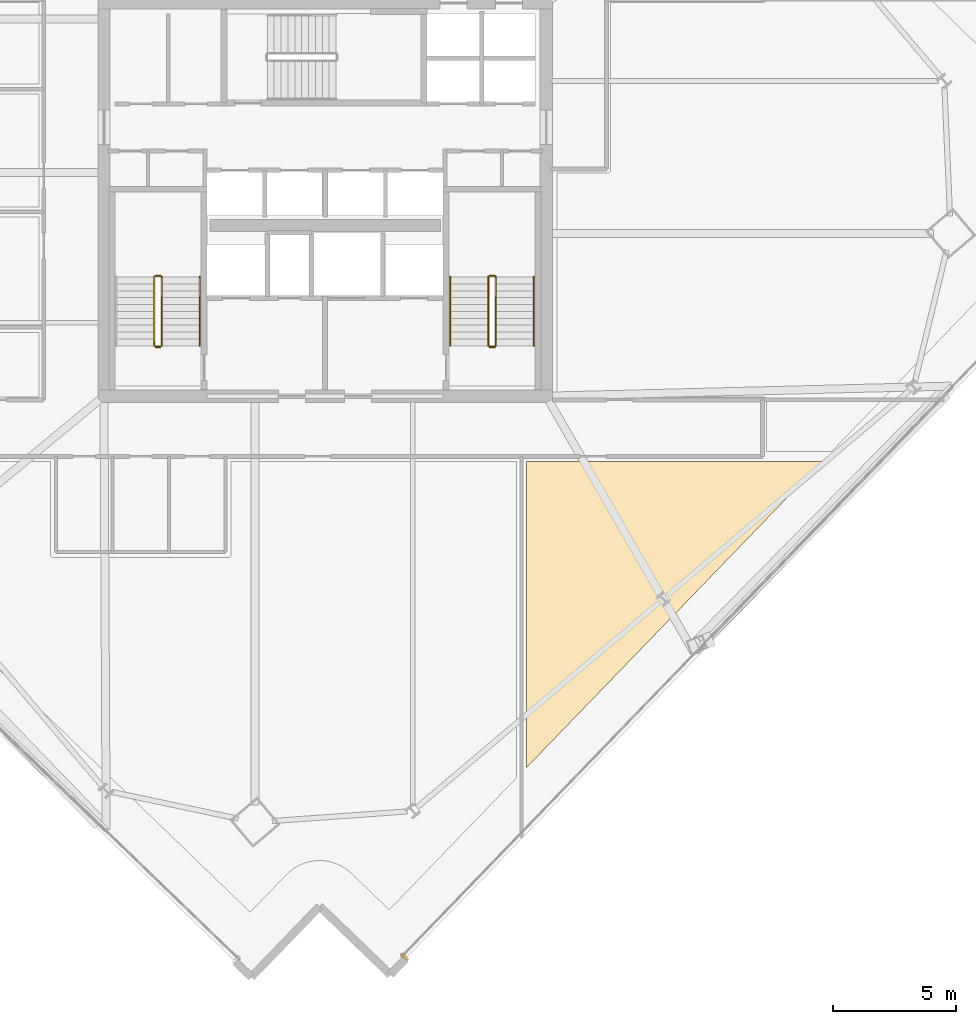
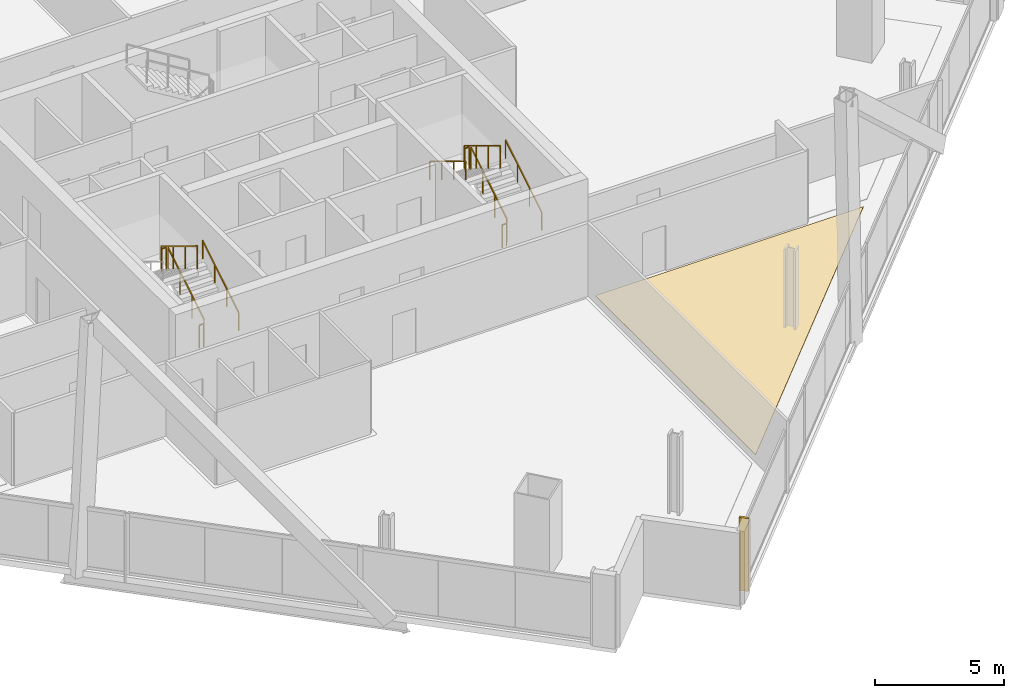
# One storey, part 30 of 33: 11 railings, 2 coverings.
"""IFC4 building model written with IfcOpenShell, lengths in metres."""

from ifc_helpers import new_model, si_unit, direction, frame, origin, origin_2d, place, context, subcontext, project, spatial, polyline, rectangle, outline, extrude, source, transform, mapped, material, layer, layer_set, type_object, element, save


model = new_model("IFC4")

# Units and contexts
model_context = context("Model", 3, precision=1e-05, world=origin(), true_north=direction((0.0, 1.0)))
body_context = subcontext(model_context, "Body", "Model", "MODEL_VIEW")
ifc_project = project(units=[si_unit("LENGTHUNIT", "METRE"), si_unit("AREAUNIT", "SQUARE_METRE"), si_unit("VOLUMEUNIT", "CUBIC_METRE"), si_unit("PLANEANGLEUNIT", "RADIAN"), si_unit("MASSUNIT", "GRAM", prefix="KILO")], contexts=[model_context])

# Site, building, storey
site_placement = place(None, origin())
site = spatial("IfcSite", under=ifc_project, at=site_placement, CompositionType="ELEMENT")
building_placement = place(site_placement, origin())
building = spatial("IfcBuilding", under=site, at=building_placement, Name="Haldenkirk Collegiate Tower", CompositionType="ELEMENT")
storey_placement = place(building_placement, frame((0.0, 0.0, 181.949951171875)))
storey = spatial("IfcBuildingStorey", under=building, at=storey_placement, Name="L45", CompositionType="ELEMENT", Elevation=181.949951171875)

# Covering
ifc_material_1 = material(Name="Polished collegiate terrazzo", Category="concrete")
ifc_layer_1 = layer(ifc_material_1, 0.02490234375)
ifc_layer_set_1 = layer_set([ifc_layer_1], Name="Polished collegiate terrazzo")
covering_type_1 = type_object("IfcCoveringType", Name="COV-FLOOR-TERRAZZO", PredefinedType="FLOORING", material=ifc_layer_set_1)
covering_1_placement = place(storey_placement, origin())
element("IfcCovering", 1, at=covering_1_placement, inside=storey, type_object=covering_type_1, Name="L45 academic room finish 02", PredefinedType="FLOORING", context=body_context, shape_type="SweptSolid", body=[
    extrude(outline(polyline([(44.199951171875, 2.885986328125), (44.199951171875, 15.35009765625), (56.236572265625, 15.35009765625), (44.199951171875, 2.885986328125)])), origin(), (0.0, 0.0, 1.0), 0.025146484375),
])

# Railings
ifc_material_2 = material(Name="Painted architectural tubular steel", Category="steel")
railing_type_1 = type_object("IfcRailingType", Name="RLG-STAIR-GUARD-1100", PredefinedType="BALUSTRADE", material=ifc_material_2)
railing_1_placement = place(storey_placement, frame((29.35009765625, 20.050048828125, 0.17041015625)))
element("IfcRailing", 2, at=railing_1_placement, inside=storey, type_object=railing_type_1, Name="L45 ST-1 stair guard 1", PredefinedType="BALUSTRADE", context=body_context, shape_type="SweptSolid", body=[
    extrude(rectangle(XDim=0.048095703125, YDim=0.048095703125, at=origin_2d()), frame((0.0, 0.0, 1.076171875), z_axis=(0.0, 0.854169791009, 0.51999420009), x_axis=(-1.0, 0.0, 0.0)), (0.0, 0.0, 1.0), 3.278076171875),
    extrude(rectangle(XDim=0.0419921875, YDim=0.0419921875, at=origin_2d()), origin(), (0.0, 0.0, 1.0), 1.052001953125),
    extrude(rectangle(XDim=0.0419921875, YDim=0.0419921875, at=origin_2d()), frame((0.0, 0.933349609375, 0.568115234375)), (0.0, 0.0, 1.0), 1.052001953125),
    extrude(rectangle(XDim=0.0419921875, YDim=0.0419921875, at=origin_2d()), frame((0.0, 1.86669921875, 1.136474609375)), (0.0, 0.0, 1.0), 1.052001953125),
    extrude(rectangle(XDim=0.0419921875, YDim=0.0419921875, at=origin_2d()), frame((0.0, 2.800048828125, 1.70458984375)), (0.0, 0.0, 1.0), 1.052001953125),
])
railing_2_placement = place(storey_placement, frame((29.300048828125, 22.89990234375, 1.875)))
element("IfcRailing", 3, at=railing_2_placement, inside=storey, type_object=railing_type_1, Name="L45 ST-1 stair guard 2", PredefinedType="BALUSTRADE", context=body_context, shape_type="SweptSolid", body=[
    extrude(rectangle(XDim=0.048095703125, YDim=0.048095703125, at=origin_2d()), frame((0.0, 0.0, 1.076171875), z_axis=(-1.0, 0.0, 0.0), x_axis=(0.0, -1.0, 0.0)), (0.0, 0.0, 1.0), 0.199951171875),
    extrude(rectangle(XDim=0.0419921875, YDim=0.0419921875, at=origin_2d()), origin(), (0.0, 0.0, 1.0), 1.052001953125),
    extrude(rectangle(XDim=0.0419921875, YDim=0.0419921875, at=origin_2d()), frame((-0.199951171875, 0.0, 0.0)), (0.0, 0.0, 1.0), 1.052001953125),
])
railing_3_placement = place(storey_placement, frame((29.050048828125, 22.85009765625, 2.04541015625)))
element("IfcRailing", 4, at=railing_3_placement, inside=storey, type_object=railing_type_1, Name="L45 ST-1 stair guard 3", PredefinedType="BALUSTRADE", context=body_context, shape_type="SweptSolid", body=[
    extrude(rectangle(XDim=0.048095703125, YDim=0.048095703125, at=origin_2d()), frame((0.0, 0.0, 1.076171875), z_axis=(0.0, -0.854169791009, 0.51999420009), x_axis=(1.0, 0.0, 0.0)), (0.0, 0.0, 1.0), 3.278076171875),
    extrude(rectangle(XDim=0.0419921875, YDim=0.0419921875, at=origin_2d()), origin(), (0.0, 0.0, 1.0), 1.052001953125),
    extrude(rectangle(XDim=0.0419921875, YDim=0.0419921875, at=origin_2d()), frame((0.0, -0.933349609375, 0.568115234375)), (0.0, 0.0, 1.0), 1.052001953125),
    extrude(rectangle(XDim=0.0419921875, YDim=0.0419921875, at=origin_2d()), frame((0.0, -1.86669921875, 1.136474609375)), (0.0, 0.0, 1.0), 1.052001953125),
    extrude(rectangle(XDim=0.0419921875, YDim=0.0419921875, at=origin_2d()), frame((0.0, -2.800048828125, 1.70458984375)), (0.0, 0.0, 1.0), 1.052001953125),
])
railing_4_placement = place(storey_placement, frame((29.300048828125, 20.0, 0.0)))
element("IfcRailing", 5, at=railing_4_placement, inside=storey, type_object=railing_type_1, Name="L45 ST-1 stair guard 4", PredefinedType="BALUSTRADE", context=body_context, shape_type="SweptSolid", body=[
    extrude(rectangle(XDim=0.048095703125, YDim=0.048095703125, at=origin_2d()), frame((0.0, 0.0, 1.076171875), z_axis=(-1.0, 0.0, 0.0), x_axis=(0.0, -1.0, 0.0)), (0.0, 0.0, 1.0), 0.199951171875),
    extrude(rectangle(XDim=0.0419921875, YDim=0.0419921875, at=origin_2d()), origin(), (0.0, 0.0, 1.0), 1.052001953125),
    extrude(rectangle(XDim=0.0419921875, YDim=0.0419921875, at=origin_2d()), frame((-0.199951171875, 0.0, 0.0)), (0.0, 0.0, 1.0), 1.052001953125),
])
railing_5_placement = place(storey_placement, frame((42.949951171875, 20.050048828125, 0.17041015625)))
element("IfcRailing", 6, at=railing_5_placement, inside=storey, type_object=railing_type_1, Name="L45 ST-2 stair guard 1", PredefinedType="BALUSTRADE", context=body_context, shape_type="SweptSolid", body=[
    extrude(rectangle(XDim=0.048095703125, YDim=0.048095703125, at=origin_2d()), frame((0.0, 0.0, 1.076171875), z_axis=(0.0, 0.854169791009, 0.51999420009), x_axis=(-1.0, 0.0, 0.0)), (0.0, 0.0, 1.0), 3.278076171875),
    extrude(rectangle(XDim=0.0419921875, YDim=0.0419921875, at=origin_2d()), origin(), (0.0, 0.0, 1.0), 1.052001953125),
    extrude(rectangle(XDim=0.0419921875, YDim=0.0419921875, at=origin_2d()), frame((0.0, 0.933349609375, 0.568115234375)), (0.0, 0.0, 1.0), 1.052001953125),
    extrude(rectangle(XDim=0.0419921875, YDim=0.0419921875, at=origin_2d()), frame((0.0, 1.86669921875, 1.136474609375)), (0.0, 0.0, 1.0), 1.052001953125),
    extrude(rectangle(XDim=0.0419921875, YDim=0.0419921875, at=origin_2d()), frame((0.0, 2.800048828125, 1.70458984375)), (0.0, 0.0, 1.0), 1.052001953125),
])
railing_6_placement = place(storey_placement, frame((42.89990234375, 22.89990234375, 1.875)))
element("IfcRailing", 7, at=railing_6_placement, inside=storey, type_object=railing_type_1, Name="L45 ST-2 stair guard 2", PredefinedType="BALUSTRADE", context=body_context, shape_type="SweptSolid", body=[
    extrude(rectangle(XDim=0.048095703125, YDim=0.048095703125, at=origin_2d()), frame((0.0, 0.0, 1.076171875), z_axis=(-1.0, 0.0, 0.0), x_axis=(0.0, -1.0, 0.0)), (0.0, 0.0, 1.0), 0.199951171875),
    extrude(rectangle(XDim=0.0419921875, YDim=0.0419921875, at=origin_2d()), origin(), (0.0, 0.0, 1.0), 1.052001953125),
    extrude(rectangle(XDim=0.0419921875, YDim=0.0419921875, at=origin_2d()), frame((-0.199951171875, 0.0, 0.0)), (0.0, 0.0, 1.0), 1.052001953125),
])
railing_7_placement = place(storey_placement, frame((42.64990234375, 22.85009765625, 2.04541015625)))
element("IfcRailing", 8, at=railing_7_placement, inside=storey, type_object=railing_type_1, Name="L45 ST-2 stair guard 3", PredefinedType="BALUSTRADE", context=body_context, shape_type="SweptSolid", body=[
    extrude(rectangle(XDim=0.048095703125, YDim=0.048095703125, at=origin_2d()), frame((0.0, 0.0, 1.076171875), z_axis=(0.0, -0.854169791009, 0.51999420009), x_axis=(1.0, 0.0, 0.0)), (0.0, 0.0, 1.0), 3.278076171875),
    extrude(rectangle(XDim=0.0419921875, YDim=0.0419921875, at=origin_2d()), origin(), (0.0, 0.0, 1.0), 1.052001953125),
    extrude(rectangle(XDim=0.0419921875, YDim=0.0419921875, at=origin_2d()), frame((0.0, -0.933349609375, 0.568115234375)), (0.0, 0.0, 1.0), 1.052001953125),
    extrude(rectangle(XDim=0.0419921875, YDim=0.0419921875, at=origin_2d()), frame((0.0, -1.86669921875, 1.136474609375)), (0.0, 0.0, 1.0), 1.052001953125),
    extrude(rectangle(XDim=0.0419921875, YDim=0.0419921875, at=origin_2d()), frame((0.0, -2.800048828125, 1.70458984375)), (0.0, 0.0, 1.0), 1.052001953125),
])
railing_8_placement = place(storey_placement, frame((42.89990234375, 20.0, 0.0)))
element("IfcRailing", 9, at=railing_8_placement, inside=storey, type_object=railing_type_1, Name="L45 ST-2 stair guard 4", PredefinedType="BALUSTRADE", context=body_context, shape_type="SweptSolid", body=[
    extrude(rectangle(XDim=0.048095703125, YDim=0.048095703125, at=origin_2d()), frame((0.0, 0.0, 1.076171875), z_axis=(-1.0, 0.0, 0.0), x_axis=(0.0, -1.0, 0.0)), (0.0, 0.0, 1.0), 0.199951171875),
    extrude(rectangle(XDim=0.0419921875, YDim=0.0419921875, at=origin_2d()), origin(), (0.0, 0.0, 1.0), 1.052001953125),
    extrude(rectangle(XDim=0.0419921875, YDim=0.0419921875, at=origin_2d()), frame((-0.199951171875, 0.0, 0.0)), (0.0, 0.0, 1.0), 1.052001953125),
])
railing_type_2 = type_object("IfcRailingType", Name="RLG-STAIR-HANDRAIL-900", PredefinedType="HANDRAIL", material=ifc_material_2)
for number, where, name in (
    (10, (30.89990234375, 20.050048828125, 0.17041015625), "L45 ST-1 stair handrail 1"),
    (11, (44.5, 20.050048828125, 0.17041015625), "L45 ST-2 stair handrail 1"),
):
    element("IfcRailing", number, at=place(storey_placement, frame(where)), inside=storey, type_object=railing_type_2, Name=name, PredefinedType="HANDRAIL", context=body_context, shape_type="SweptSolid", body=[
        extrude(rectangle(XDim=0.048095703125, YDim=0.048095703125, at=origin_2d()), frame((0.0, 0.0, 0.8759765625), z_axis=(0.0, 0.854169791009, 0.51999420009), x_axis=(-1.0, 0.0, 0.0)), (0.0, 0.0, 1.0), 3.278076171875),
        extrude(rectangle(XDim=0.0419921875, YDim=0.0419921875, at=origin_2d()), origin(), (0.0, 0.0, 1.0), 0.851806640625),
        extrude(rectangle(XDim=0.0419921875, YDim=0.0419921875, at=origin_2d()), frame((0.0, 0.933349609375, 0.568115234375)), (0.0, 0.0, 1.0), 0.851806640625),
        extrude(rectangle(XDim=0.0419921875, YDim=0.0419921875, at=origin_2d()), frame((0.0, 1.86669921875, 1.136474609375)), (0.0, 0.0, 1.0), 0.851806640625),
        extrude(rectangle(XDim=0.0419921875, YDim=0.0419921875, at=origin_2d()), frame((0.0, 2.800048828125, 1.70458984375)), (0.0, 0.0, 1.0), 0.851806640625),
    ])
railing_9_placement = place(storey_placement, frame((41.10009765625, 22.85009765625, 2.04541015625)))
element("IfcRailing", 12, at=railing_9_placement, inside=storey, type_object=railing_type_2, Name="L45 ST-2 stair handrail 2", PredefinedType="HANDRAIL", context=body_context, shape_type="SweptSolid", body=[
    extrude(rectangle(XDim=0.048095703125, YDim=0.048095703125, at=origin_2d()), frame((0.0, 0.0, 0.8759765625), z_axis=(0.0, -0.854169791009, 0.51999420009), x_axis=(1.0, 0.0, 0.0)), (0.0, 0.0, 1.0), 3.278076171875),
    extrude(rectangle(XDim=0.0419921875, YDim=0.0419921875, at=origin_2d()), origin(), (0.0, 0.0, 1.0), 0.851806640625),
    extrude(rectangle(XDim=0.0419921875, YDim=0.0419921875, at=origin_2d()), frame((0.0, -0.933349609375, 0.568115234375)), (0.0, 0.0, 1.0), 0.851806640625),
    extrude(rectangle(XDim=0.0419921875, YDim=0.0419921875, at=origin_2d()), frame((0.0, -1.86669921875, 1.136474609375)), (0.0, 0.0, 1.0), 0.851806640625),
    extrude(rectangle(XDim=0.0419921875, YDim=0.0419921875, at=origin_2d()), frame((0.0, -2.800048828125, 1.70458984375)), (0.0, 0.0, 1.0), 0.851806640625),
])

# Covering
ifc_material_3 = material(Name="Anodised architectural bronze aluminium", Category="aluminium")
ifc_layer_2 = layer(ifc_material_3, 0.06005859375)
ifc_layer_set_2 = layer_set([ifc_layer_2], Name="Anodised architectural bronze aluminium")
covering_type_2 = type_object("IfcCoveringType", Name="COV-CLAD-BRONZE-60", PredefinedType="CLADDING", material=ifc_layer_set_2)
shared_shape = source(origin(), body_context, "Body", "SweptSolid", [
    extrude(rectangle(XDim=0.10009765625, YDim=0.3798828125, at=origin_2d()), origin(), (0.0, 0.0, 1.0), 3.4599609375),
])
covering_2_placement = place(storey_placement, frame((39.23583984375, -4.81689453125, 0.0), z_axis=(0.0, 0.0, 1.0), x_axis=(-0.694658370459, -0.719339800339, 0.0)))
element("IfcCovering", 13, at=covering_2_placement, inside=storey, type_object=covering_type_2, Name="L45 recessed curtain-wall bronze jamb closure SJR", PredefinedType="CLADDING", context=body_context, shape_type="MappedRepresentation", body=[
    mapped(shared_shape, transform((0.0, 0.0, 0.0), x_axis=(1.0, 0.0, 0.0), y_axis=(0.0, 1.0, 0.0), z_axis=(0.0, 0.0, 1.0), scale=1.0)),
])

save(model, "model.ifc")
